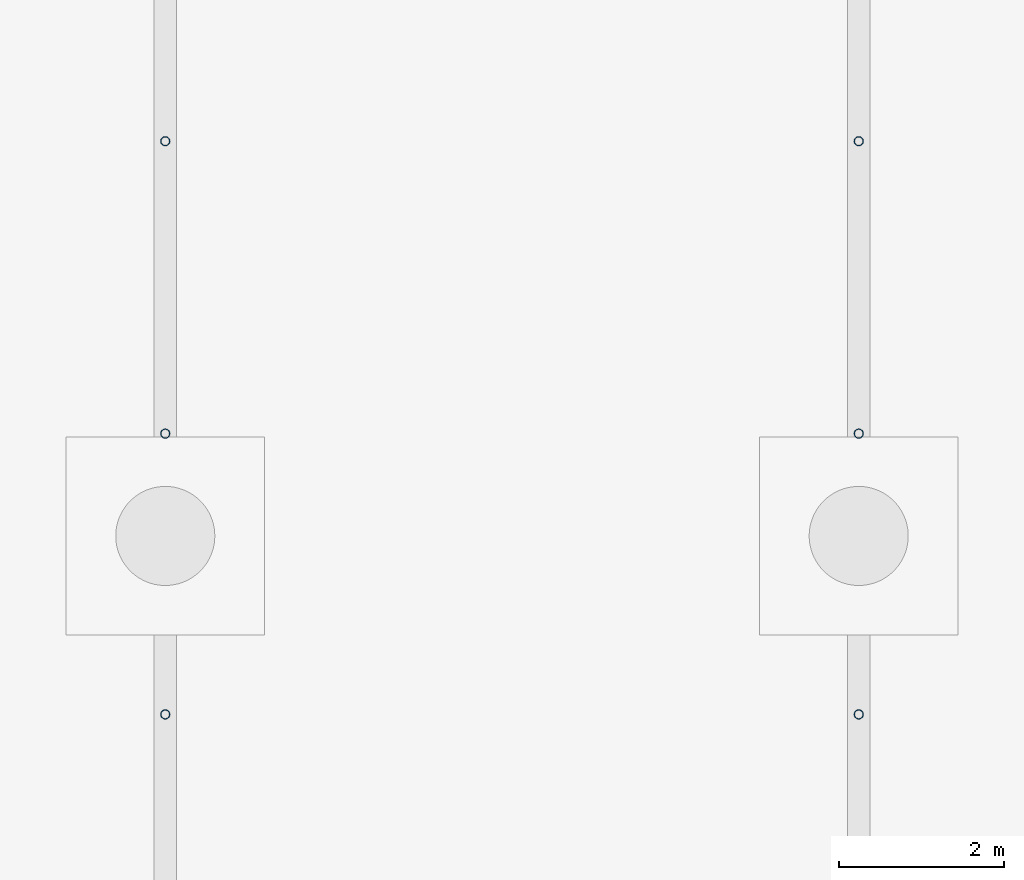
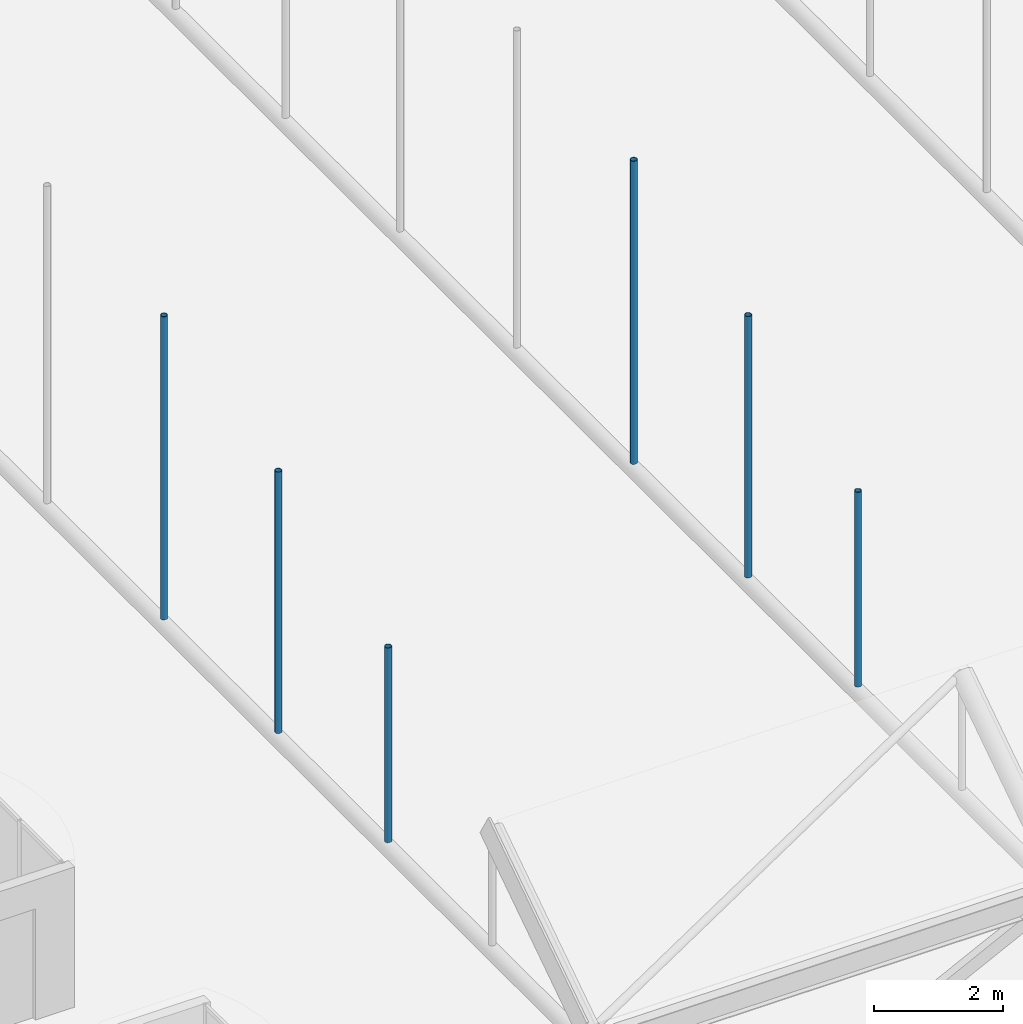
# One storey, part 38 of 212: 6 members.
"""IFC4 building model written with IfcOpenShell, lengths in metres."""

from ifc_helpers import new_model, si_unit, direction, frame, origin, origin_2d, place, context, subcontext, project, spatial, hollow_circle, extrude, material, material_profile, profile_set, type_object, element, save


model = new_model("IFC4")

# Units and contexts
model_context = context("Model", 3, precision=1e-05, world=origin(), true_north=direction((0.0, 1.0)))
body_context = subcontext(model_context, "Body", "Model", "MODEL_VIEW")
ifc_project = project(units=[si_unit("LENGTHUNIT", "METRE"), si_unit("AREAUNIT", "SQUARE_METRE"), si_unit("VOLUMEUNIT", "CUBIC_METRE"), si_unit("PLANEANGLEUNIT", "RADIAN"), si_unit("MASSUNIT", "GRAM", prefix="KILO")], contexts=[model_context])

# Site, building, storey
site_placement = place(None, origin())
site = spatial("IfcSite", under=ifc_project, at=site_placement, CompositionType="ELEMENT")
building_placement = place(site_placement, origin())
building = spatial("IfcBuilding", under=site, at=building_placement, Name="Catenary Quay Ferry Terminal", CompositionType="ELEMENT")
storey_placement = place(building_placement, origin())
storey = spatial("IfcBuildingStorey", under=building, at=storey_placement, Name="L00", CompositionType="ELEMENT", Elevation=0.0)

# Members
ifc_material = material(Name="Steel S355", Category="steel")
ifc_material_profile = material_profile(ifc_material, hollow_circle(Radius=0.05712890625, WallThickness=0.00634765625, at=origin_2d()), Name="CHS 114.3x6.3")
ifc_profile_set = profile_set([ifc_material_profile], Name="Steel S355")
member_type = type_object("IfcMemberType", Name="HG1 CHS 114.3x6.3", PredefinedType="POST", material=ifc_profile_set)
member_1_placement = place(storey_placement, frame((16.800048828125, 23.0380859375, 4.830078125), z_axis=(0.0, 0.0, 1.0), x_axis=(1.0, 0.0, 0.0)))
element("IfcMember", 1, at=member_1_placement, inside=storey, type_object=member_type, Name="Hanger CA-01-02", PredefinedType="POST", context=body_context, shape_type="SweptSolid", body=[
    extrude(hollow_circle(Radius=0.05712890625, WallThickness=0.00634765625, at=origin_2d()), origin(), (0.0, 0.0, 1.0), 3.681884765625),
])
member_2_placement = place(storey_placement, frame((16.800048828125, 26.43994140625, 4.830078125), z_axis=(0.0, 0.0, 1.0), x_axis=(1.0, 0.0, 0.0)))
element("IfcMember", 2, at=member_2_placement, inside=storey, type_object=member_type, Name="Hanger CA-01-03", PredefinedType="POST", context=body_context, shape_type="SweptSolid", body=[
    extrude(hollow_circle(Radius=0.05712890625, WallThickness=0.00634765625, at=origin_2d()), origin(), (0.0, 0.0, 1.0), 4.94287109375),
])
member_3_placement = place(storey_placement, frame((16.800048828125, 29.98193359375, 4.830078125), z_axis=(0.0, 0.0, 1.0), x_axis=(1.0, 0.0, 0.0)))
element("IfcMember", 3, at=member_3_placement, inside=storey, type_object=member_type, Name="Hanger CA-01-04", PredefinedType="POST", context=body_context, shape_type="SweptSolid", body=[
    extrude(hollow_circle(Radius=0.05712890625, WallThickness=0.00634765625, at=origin_2d()), origin(), (0.0, 0.0, 1.0), 5.72998046875),
])
member_4_placement = place(storey_placement, frame((25.199951171875, 23.0380859375, 4.830078125), z_axis=(0.0, 0.0, 1.0), x_axis=(1.0, 0.0, 0.0)))
element("IfcMember", 4, at=member_4_placement, inside=storey, type_object=member_type, Name="Hanger CA-02-02", PredefinedType="POST", context=body_context, shape_type="SweptSolid", body=[
    extrude(hollow_circle(Radius=0.05712890625, WallThickness=0.00634765625, at=origin_2d()), origin(), (0.0, 0.0, 1.0), 3.681884765625),
])
member_5_placement = place(storey_placement, frame((25.199951171875, 26.43994140625, 4.830078125), z_axis=(0.0, 0.0, 1.0), x_axis=(1.0, 0.0, 0.0)))
element("IfcMember", 5, at=member_5_placement, inside=storey, type_object=member_type, Name="Hanger CA-02-03", PredefinedType="POST", context=body_context, shape_type="SweptSolid", body=[
    extrude(hollow_circle(Radius=0.05712890625, WallThickness=0.00634765625, at=origin_2d()), origin(), (0.0, 0.0, 1.0), 4.94287109375),
])
member_6_placement = place(storey_placement, frame((25.199951171875, 29.98193359375, 4.830078125), z_axis=(0.0, 0.0, 1.0), x_axis=(1.0, 0.0, 0.0)))
element("IfcMember", 6, at=member_6_placement, inside=storey, type_object=member_type, Name="Hanger CA-02-04", PredefinedType="POST", context=body_context, shape_type="SweptSolid", body=[
    extrude(hollow_circle(Radius=0.05712890625, WallThickness=0.00634765625, at=origin_2d()), origin(), (0.0, 0.0, 1.0), 5.72998046875),
])

save(model, "model.ifc")
